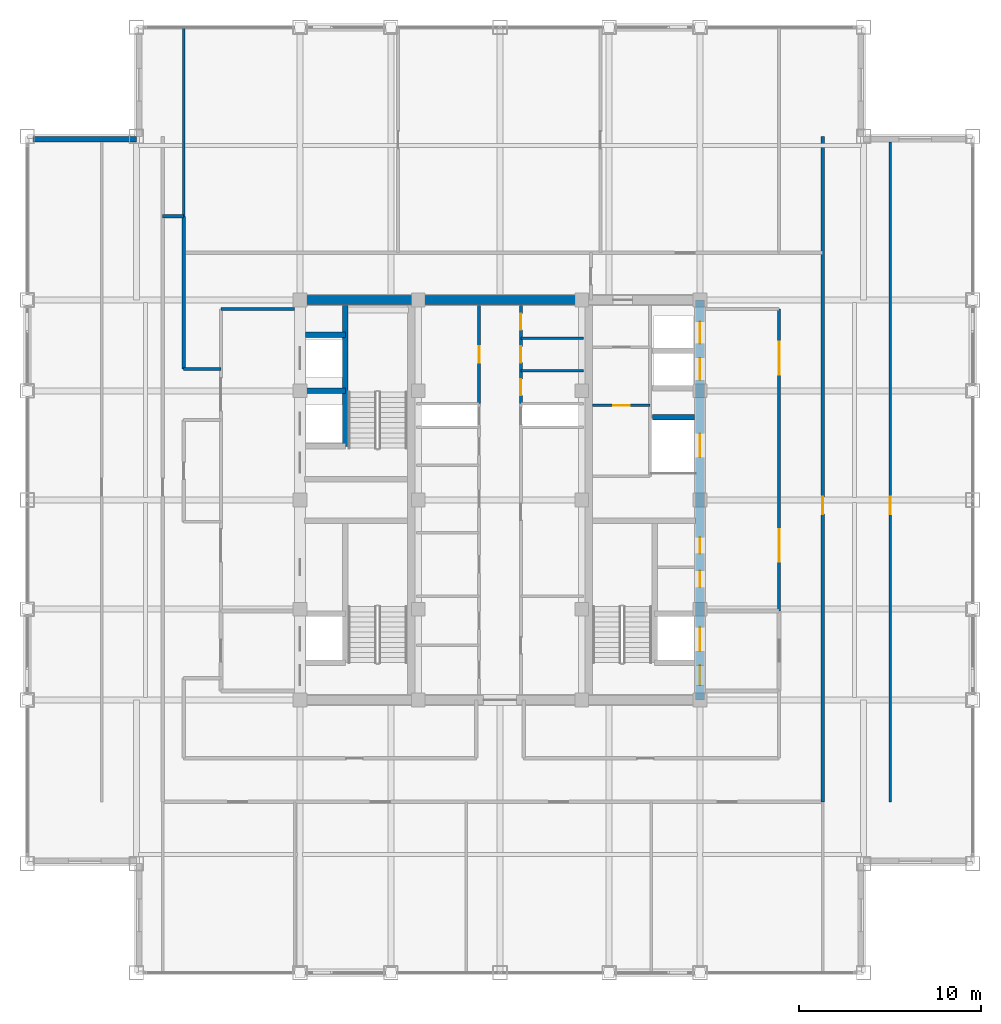
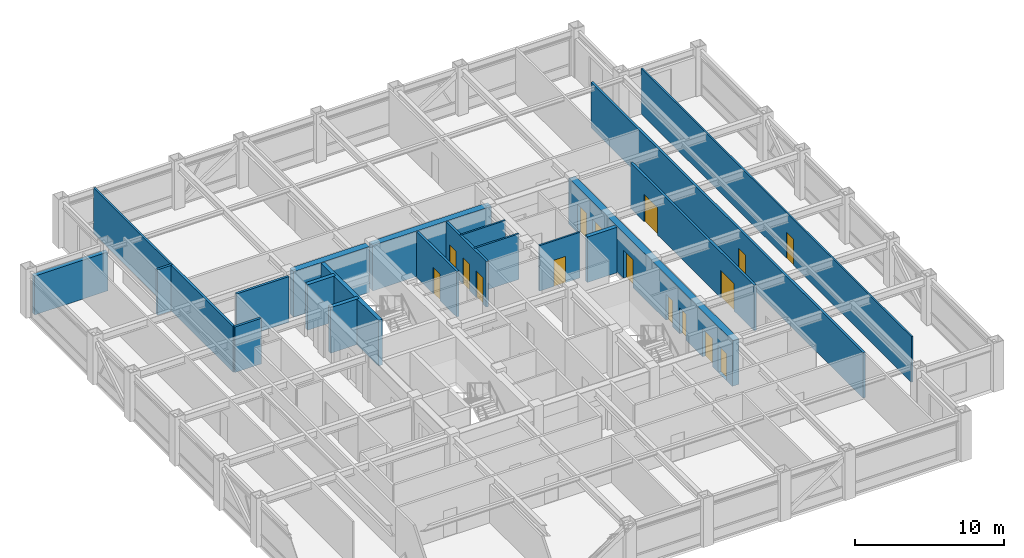
# One storey, part 26 of 28: 21 walls, 16 doors, 16 openings.
"""IFC4 building model written with IfcOpenShell, lengths in metres."""

import ifcopenshell
import ifcopenshell.guid

model = None  # the IFC model being written
_history = None  # IfcOwnerHistory: only IFC2X3 demands one
_inside = {}  # id of a spatial element -> (the spatial element, [elements in it])
_under = {}  # id of a project, library or spatial element -> (it, [spatial elements below it])
_declared = {}  # id of a project -> (the project, [libraries it declares])
_typed = {}  # id of a type object -> (the type object, [elements of that type])
_made_of = {}  # id of a material, layer set ... -> (it, [elements and type objects made of it])


def new_model(schema):
    """Start an empty IFC model of exactly this schema.

    Asked for "IFC4X3", IfcOpenShell would pick the latest addendum, in which some entities
    have other attributes; the version numbers below select the first issue.
    IFC2X3 requires an IfcOwnerHistory on every rooted entity: one is made here for all.
    """
    global model, _history
    if schema == "IFC4X3":
        model = ifcopenshell.file(schema_version=(4, 3, 0, 0))
    else:
        model = ifcopenshell.file(schema=schema)
    _inside.clear()
    _under.clear()
    _declared.clear()
    _typed.clear()
    _made_of.clear()
    _history = None
    if model.schema == "IFC2X3":
        org = make("IfcOrganization", Name="unknown")
        user = make(
            "IfcPersonAndOrganization",
            ThePerson=make("IfcPerson", FamilyName="unknown"),
            TheOrganization=org,
        )
        app = make(
            "IfcApplication",
            ApplicationDeveloper=org,
            Version="unknown",
            ApplicationFullName="unknown",
            ApplicationIdentifier="unknown",
        )
        _history = make(
            "IfcOwnerHistory",
            OwningUser=user,
            OwningApplication=app,
            ChangeAction="ADDED",
            CreationDate=0,
        )
    return model


def make(cls, **values):
    """One entity of the class cls with the attributes given. An attribute that is None is left unset."""
    return model.create_entity(
        cls, **{name: value for name, value in values.items() if value is not None}
    )


def rooted(cls, **values):
    """An entity with a GlobalId (a new one), such as an element, a storey or a relation."""
    return make(cls, GlobalId=ifcopenshell.guid.new(), OwnerHistory=_history, **values)


def si_unit(unit_type, name, prefix=None):
    """IfcSIUnit, for example si_unit("LENGTHUNIT", "METRE", prefix="MILLI")."""
    return make("IfcSIUnit", UnitType=unit_type, Prefix=prefix, Name=name)


def assignment(units):
    """IfcUnitAssignment: the units of a project."""
    return None if units is None else make("IfcUnitAssignment", Units=units)


def point(xyz):
    """IfcCartesianPoint."""
    return None if xyz is None else make("IfcCartesianPoint", Coordinates=xyz)


def direction(xyz):
    """IfcDirection."""
    return None if xyz is None else make("IfcDirection", DirectionRatios=xyz)


def frame(location, z_axis=None, x_axis=None):
    """IfcAxis2Placement3D, a coordinate frame: its origin and axes. An axis left out is left unset."""
    return make(
        "IfcAxis2Placement3D",
        Location=point(location),
        Axis=direction(z_axis),
        RefDirection=direction(x_axis),
    )


def frame_2d(location, x_axis=None):
    """IfcAxis2Placement2D, a coordinate frame in the plane: its origin and x axis."""
    return make(
        "IfcAxis2Placement2D", Location=point(location), RefDirection=direction(x_axis)
    )


def origin():
    """The frame at (0, 0, 0) with its axes left unset."""
    return frame((0.0, 0.0, 0.0))


def place(relative_to, where):
    """IfcLocalPlacement: puts the frame where relative to a parent placement (None: the world)."""
    return make(
        "IfcLocalPlacement", PlacementRelTo=relative_to, RelativePlacement=where
    )


def context(
    kind, dimensions, precision=None, world=None, true_north=None, identifier=None
):
    """IfcGeometricRepresentationContext, for example the 3D "Model" context."""
    return make(
        "IfcGeometricRepresentationContext",
        ContextIdentifier=identifier,
        ContextType=kind,
        CoordinateSpaceDimension=dimensions,
        Precision=precision,
        WorldCoordinateSystem=world,
        TrueNorth=true_north,
    )


def subcontext(parent, identifier, kind, view, scale=None):
    """IfcGeometricRepresentationSubContext, for example "Body" below "Model"."""
    return make(
        "IfcGeometricRepresentationSubContext",
        ContextIdentifier=identifier,
        ContextType=kind,
        ParentContext=parent,
        TargetScale=scale,
        TargetView=view,
    )


def project(units=None, contexts=None):
    """IfcProject with its units and contexts."""
    return rooted(
        "IfcProject",
        Name="project",
        RepresentationContexts=contexts,
        UnitsInContext=assignment(units),
    )


def spatial(cls, under=None, at=None, **own):
    """A site, building, storey or space (cls), placed at a placement, below another one or the project."""
    s = rooted(cls, ObjectPlacement=at, **own)
    if under is not None:
        _under.setdefault(under.id(), (under, []))[1].append(s)
    return s


def profile(cls, at=None, kind="AREA", **sizes):
    """A parametric profile (cls). Its sizes go by their IFC names, for example OverallWidth=200.0."""
    return make(cls, ProfileType=kind, Position=at, **sizes)


def rectangle(**sizes):
    """IfcRectangleProfileDef."""
    return profile("IfcRectangleProfileDef", **sizes)


def extrude(swept, where, along, depth):
    """IfcExtrudedAreaSolid: the profile swept, set in the frame where, extruded along a direction by depth."""
    return make(
        "IfcExtrudedAreaSolid",
        SweptArea=swept,
        Position=where,
        ExtrudedDirection=direction(along),
        Depth=depth,
    )


def shape(context_of_items, identifier, shape_type, items):
    """IfcShapeRepresentation: the items that make up one representation, for example the "Body"."""
    return make(
        "IfcShapeRepresentation",
        ContextOfItems=context_of_items,
        RepresentationIdentifier=identifier,
        RepresentationType=shape_type,
        Items=items,
    )


def source(mapping_origin, context_of_items, identifier, shape_type, items):
    """IfcRepresentationMap: a shape defined once, which mapped items show again and again."""
    return make(
        "IfcRepresentationMap",
        MappingOrigin=mapping_origin,
        MappedRepresentation=shape(context_of_items, identifier, shape_type, items),
    )


def transform(
    local_origin,
    x_axis=None,
    y_axis=None,
    z_axis=None,
    scale=None,
    scale2=None,
    scale3=None,
    uniform=True,
):
    """IfcCartesianTransformationOperator3D, or its non-uniform kind. x_axis, y_axis, z_axis: its Axis1, 2, 3."""
    if uniform:
        return make(
            "IfcCartesianTransformationOperator3D",
            Axis1=direction(x_axis),
            Axis2=direction(y_axis),
            LocalOrigin=point(local_origin),
            Scale=scale,
            Axis3=direction(z_axis),
        )
    return make(
        "IfcCartesianTransformationOperator3DnonUniform",
        Axis1=direction(x_axis),
        Axis2=direction(y_axis),
        LocalOrigin=point(local_origin),
        Scale=scale,
        Axis3=direction(z_axis),
        Scale2=scale2,
        Scale3=scale3,
    )


def mapped(mapping_source, mapping_target):
    """IfcMappedItem: shows the shape of a source again, moved by a transform."""
    return make(
        "IfcMappedItem", MappingSource=mapping_source, MappingTarget=mapping_target
    )


def material(Name=None, Category=None):
    """IfcMaterial."""
    return make("IfcMaterial", Name=Name, Category=Category)


def layer(
    of_material, thickness, ventilated=None, Name=None, Category=None, Priority=None
):
    """IfcMaterialLayer: one layer of a wall or slab, of a material (None: an air gap)."""
    return make(
        "IfcMaterialLayer",
        Material=of_material,
        LayerThickness=thickness,
        IsVentilated=ventilated,
        Name=Name,
        Category=Category,
        Priority=Priority,
    )


def layer_set(layers, Name=None):
    """IfcMaterialLayerSet."""
    return make("IfcMaterialLayerSet", MaterialLayers=layers, LayerSetName=Name)


def made_of(thing, what):
    """Note that an element or type object is made of a material, layer set ...; save() writes the relation."""
    if what is not None:
        _made_of.setdefault(what.id(), (what, []))[1].append(thing)
    return thing


def type_object(cls, material=None, **own):
    """A type object (cls), such as IfcWallType, which elements share."""
    return made_of(rooted(cls, **own), material)


def element(
    cls,
    number,
    at=None,
    inside=None,
    cuts=None,
    type_object=None,
    material=None,
    context=None,
    identifier="Body",
    shape_type=None,
    held_by="IfcProductDefinitionShape",
    body=None,
    shapes=None,
    **own,
):
    """One element of the class cls, such as IfcWall. Its Tag is "e" and its number.

    at: its placement. inside: the storey or other place that contains it. cuts: it is an
    opening in that element (IfcRelVoidsElement). A single representation is given by context,
    identifier, shape_type and body (its items); several are given by shapes. held_by: the class
    of the entity that holds the representations. save() writes the other relations.
    """
    e = rooted(cls, Tag="e%d" % number, ObjectPlacement=at, **own)
    if body is not None:
        shapes = [shape(context, identifier, shape_type, body)]
    if shapes is not None:
        e.Representation = make(held_by, Representations=shapes)
    if inside is not None:
        _inside.setdefault(inside.id(), (inside, []))[1].append(e)
    if cuts is not None:
        rooted(
            "IfcRelVoidsElement", RelatingBuildingElement=cuts, RelatedOpeningElement=e
        )
    if type_object is not None:
        _typed.setdefault(type_object.id(), (type_object, []))[1].append(e)
    return made_of(e, material)


def fill(opening, filler):
    """IfcRelFillsElement: the door or window that sits in an opening."""
    return rooted(
        "IfcRelFillsElement",
        RelatingOpeningElement=opening,
        RelatedBuildingElement=filler,
    )


def aggregate(whole, parts):
    """IfcRelAggregates: a whole, such as a stair, and the parts it consists of."""
    return rooted("IfcRelAggregates", RelatingObject=whole, RelatedObjects=parts)


def save(model, path):
    """Write the relations noted so far, then the file.

    IfcRelAggregates (storeys below a building ...), IfcRelContainedInSpatialStructure (elements
    in a storey), IfcRelDefinesByType, IfcRelAssociatesMaterial and IfcRelDeclares: one each for
    every whole, place, type object, material and project.
    """
    for whole, parts in _under.values():
        aggregate(whole, parts)
    for where, things in _inside.values():
        rooted(
            "IfcRelContainedInSpatialStructure",
            RelatedElements=things,
            RelatingStructure=where,
        )
    for kind, things in _typed.values():
        rooted("IfcRelDefinesByType", RelatedObjects=things, RelatingType=kind)
    for what, things in _made_of.values():
        rooted("IfcRelAssociatesMaterial", RelatedObjects=things, RelatingMaterial=what)
    for by, libraries in _declared.values():
        rooted("IfcRelDeclares", RelatingContext=by, RelatedDefinitions=libraries)
    model.write(path)


model = new_model("IFC4")

# Units and contexts
model_context = context("Model", 3, precision=1e-05, world=origin(), true_north=direction((0.0, 1.0)))
body_context = subcontext(model_context, "Body", "Model", "MODEL_VIEW")
ifc_project = project(units=[si_unit("LENGTHUNIT", "METRE"), si_unit("AREAUNIT", "SQUARE_METRE"), si_unit("VOLUMEUNIT", "CUBIC_METRE"), si_unit("PLANEANGLEUNIT", "RADIAN"), si_unit("MASSUNIT", "GRAM", prefix="KILO")], contexts=[model_context])

# Site, building, storey
site_placement = place(None, origin())
site = spatial("IfcSite", under=ifc_project, at=site_placement, CompositionType="ELEMENT")
building_placement = place(site_placement, origin())
building = spatial("IfcBuilding", under=site, at=building_placement, Name="Khorayat Bourse Tower", CompositionType="ELEMENT")
storey_placement = place(building_placement, frame((0.0, 0.0, 330.300048828125)))
storey = spatial("IfcBuildingStorey", under=building, at=storey_placement, Name="L78", CompositionType="ELEMENT", Elevation=330.300048828125)

# Wall, openings, doors
ifc_material_1 = material(Name="Concrete C52/65", Category="concrete")
ifc_layer_1 = layer(ifc_material_1, 0.5)
ifc_layer_set_1 = layer_set([ifc_layer_1], Name="Concrete C52/65")
wall_type_1 = type_object("IfcWallType", Name="WAL-CORE-500", PredefinedType="SHEAR", material=ifc_layer_set_1)
shared_shape_1 = source(origin(), body_context, "Body", "SweptSolid", [
    extrude(rectangle(XDim=22.0, YDim=0.5, at=frame_2d((11.0, 0.0))), origin(), (0.0, 0.0, 1.0), 3.739990234375),
])
wall_1_placement = place(storey_placement, frame((11.0, -11.0, 0.0), z_axis=(0.0, 0.0, 1.0), x_axis=(0.0, 1.0, 0.0)))
wall_1 = element("IfcWall", 1, at=wall_1_placement, inside=storey, type_object=wall_type_1, Name="L78 Core Shear Wall CORE-E", PredefinedType="SHEAR", context=body_context, shape_type="MappedRepresentation", body=[
    mapped(shared_shape_1, transform((0.0, 0.0, 0.0), scale=1.0)),
])
shared_shape_2 = source(origin(), body_context, "Body", "SweptSolid", [
    extrude(rectangle(XDim=1.10009765625, YDim=2.199951171875, at=frame_2d((0.550048828125, 1.10009765625))), frame((0.0, 0.260009765625, 0.0), z_axis=(0.0, -1.0, 0.0), x_axis=(1.0, 0.0, 0.0)), (0.0, 0.0, 1.0), 0.52001953125),
])
opening_1_placement = place(wall_1_placement, frame((0.800048828125, 0.0, 0.0)))
opening_1 = element("IfcOpeningElement", 2, at=opening_1_placement, cuts=wall_1, Name="Opening DI-01", PredefinedType="OPENING", context=body_context, shape_type="MappedRepresentation", body=[
    mapped(shared_shape_2, transform((0.0, 0.0, 0.0), scale=1.0)),
])
shared_shape_3 = source(origin(), body_context, "Body", "SweptSolid", [
    extrude(rectangle(XDim=0.89990234375, YDim=2.14990234375, at=frame_2d((0.449951171875, 1.074951171875))), frame((0.0, 0.260009765625, 0.0), z_axis=(0.0, -1.0, 0.0), x_axis=(1.0, 0.0, 0.0)), (0.0, 0.0, 1.0), 0.52001953125),
])
opening_2_placement = place(wall_1_placement, frame((6.199951171875, 0.0, 0.0)))
opening_2 = element("IfcOpeningElement", 3, at=opening_2_placement, cuts=wall_1, Name="Opening DI-06", PredefinedType="OPENING", context=body_context, shape_type="MappedRepresentation", body=[
    mapped(shared_shape_3, transform((0.0, 0.0, 0.0), scale=1.0)),
])
opening_3_placement = place(wall_1_placement, frame((8.050048828125, 0.0, 0.0)))
opening_3 = element("IfcOpeningElement", 4, at=opening_3_placement, cuts=wall_1, Name="Opening DI-06", PredefinedType="OPENING", context=body_context, shape_type="MappedRepresentation", body=[
    mapped(shared_shape_3, transform((0.0, 0.0, 0.0), scale=1.0)),
])
shared_shape_4 = source(origin(), body_context, "Body", "SweptSolid", [
    extrude(rectangle(XDim=1.199951171875, YDim=2.300048828125, at=frame_2d((0.60009765625, 1.14990234375))), frame((0.0, 0.260009765625, 0.0), z_axis=(0.0, -1.0, 0.0), x_axis=(1.0, 0.0, 0.0)), (0.0, 0.0, 1.0), 0.52001953125),
])
opening_4_placement = place(wall_1_placement, frame((17.60009765625, 0.0, 0.0)))
opening_4 = element("IfcOpeningElement", 5, at=opening_4_placement, cuts=wall_1, Name="Opening LD-01", PredefinedType="OPENING", context=body_context, shape_type="MappedRepresentation", body=[
    mapped(shared_shape_4, transform((0.0, 0.0, 0.0), scale=1.0)),
])
opening_5_placement = place(wall_1_placement, frame((19.60009765625, 0.0, 0.0)))
opening_5 = element("IfcOpeningElement", 6, at=opening_5_placement, cuts=wall_1, Name="Opening LD-01", PredefinedType="OPENING", context=body_context, shape_type="MappedRepresentation", body=[
    mapped(shared_shape_4, transform((0.0, 0.0, 0.0), scale=1.0)),
])
shared_shape_5 = source(origin(), body_context, "Body", "SweptSolid", [
    extrude(rectangle(XDim=1.300048828125, YDim=2.300048828125, at=frame_2d((0.64990234375, 1.14990234375))), frame((0.0, 0.260009765625, 0.0), z_axis=(0.0, -1.0, 0.0), x_axis=(1.0, 0.0, 0.0)), (0.0, 0.0, 1.0), 0.52001953125),
])
opening_6_placement = place(wall_1_placement, frame((2.699951171875, 0.0, 0.0)))
opening_6 = element("IfcOpeningElement", 7, at=opening_6_placement, cuts=wall_1, Name="Opening LD-02", PredefinedType="OPENING", context=body_context, shape_type="MappedRepresentation", body=[
    mapped(shared_shape_5, transform((0.0, 0.0, 0.0), scale=1.0)),
])
opening_7_placement = place(wall_1_placement, frame((13.35009765625, 0.0, 0.0)))
opening_7 = element("IfcOpeningElement", 8, at=opening_7_placement, cuts=wall_1, Name="Opening LD-02", PredefinedType="OPENING", context=body_context, shape_type="MappedRepresentation", body=[
    mapped(shared_shape_5, transform((0.0, 0.0, 0.0), scale=1.0)),
])
ifc_material_2 = material(Name="Fire-rated steel acoustic leaf", Category="steel")
door_type_1 = type_object("IfcDoorType", Name="DR-INT-STAIR-1100", OperationType="NOTDEFINED", PredefinedType="DOOR", material=ifc_material_2)
shared_shape_6 = source(origin(), body_context, "Body", "SweptSolid", [
    extrude(rectangle(XDim=1.10009765625, YDim=2.199951171875, at=frame_2d((0.550048828125, 1.10009765625))), frame((0.0, 0.02490234375, 0.0), z_axis=(0.0, -1.0, 0.0), x_axis=(1.0, 0.0, 0.0)), (0.0, 0.0, 1.0), 0.050048828125),
])
door_1_placement = place(opening_1_placement, origin())
door_1 = element("IfcDoor", 9, at=door_1_placement, inside=storey, type_object=door_type_1, Name="L78 Exit Stair 3 Door", OperationType="SINGLE_SWING_LEFT", OverallHeight=2.199951171875, OverallWidth=1.10009765625, PredefinedType="DOOR", context=body_context, shape_type="MappedRepresentation", body=[
    mapped(shared_shape_6, transform((0.0, 0.0, 0.0), scale=1.0)),
])
fill(opening_1, door_1)
ifc_material_3 = material(Name="Moisture-resistant laminate washroom door")
door_type_2 = type_object("IfcDoorType", Name="DR-INT-WC-900", OperationType="NOTDEFINED", PredefinedType="DOOR", material=ifc_material_3)
shared_shape_7 = source(origin(), body_context, "Body", "SweptSolid", [
    extrude(rectangle(XDim=0.89990234375, YDim=2.14990234375, at=frame_2d((0.449951171875, 1.074951171875))), frame((0.0, 0.02490234375, 0.0), z_axis=(0.0, -1.0, 0.0), x_axis=(1.0, 0.0, 0.0)), (0.0, 0.0, 1.0), 0.050048828125),
])
door_2_placement = place(opening_2_placement, origin())
door_2 = element("IfcDoor", 10, at=door_2_placement, inside=storey, type_object=door_type_2, Name="L78 Comms Closet Door", OperationType="SINGLE_SWING_LEFT", OverallHeight=2.14990234375, OverallWidth=0.89990234375, PredefinedType="DOOR", context=body_context, shape_type="MappedRepresentation", body=[
    mapped(shared_shape_7, transform((0.0, 0.0, 0.0), scale=1.0)),
])
fill(opening_2, door_2)
door_3_placement = place(opening_3_placement, origin())
door_3 = element("IfcDoor", 11, at=door_3_placement, inside=storey, type_object=door_type_2, Name="L78 Cleaner Store Door", OperationType="SINGLE_SWING_RIGHT", OverallHeight=2.14990234375, OverallWidth=0.89990234375, PredefinedType="DOOR", context=body_context, shape_type="MappedRepresentation", body=[
    mapped(shared_shape_7, transform((0.0, 0.0, 0.0), scale=1.0)),
])
fill(opening_3, door_3)
ifc_material_4 = material(Name="Brushed bronze stainless-steel sliding door", Category="steel")
door_type_3 = type_object("IfcDoorType", Name="DR-LIFT-PASS-1200", OperationType="NOTDEFINED", PredefinedType="DOOR", material=ifc_material_4)
shared_shape_8 = source(origin(), body_context, "Body", "SweptSolid", [
    extrude(rectangle(XDim=1.199951171875, YDim=2.300048828125, at=frame_2d((0.60009765625, 1.14990234375))), frame((0.0, 0.02490234375, 0.0), z_axis=(0.0, -1.0, 0.0), x_axis=(1.0, 0.0, 0.0)), (0.0, 0.0, 1.0), 0.050048828125),
])
door_4_placement = place(opening_4_placement, origin())
door_4 = element("IfcDoor", 12, at=door_4_placement, inside=storey, type_object=door_type_3, Name="L78 Lift PL-H3 Sliding Landing Door", OperationType="SLIDING_TO_LEFT", OverallHeight=2.300048828125, OverallWidth=1.199951171875, PredefinedType="DOOR", context=body_context, shape_type="MappedRepresentation", body=[
    mapped(shared_shape_8, transform((0.0, 0.0, 0.0), scale=1.0)),
])
fill(opening_4, door_4)
door_5_placement = place(opening_5_placement, origin())
door_5 = element("IfcDoor", 13, at=door_5_placement, inside=storey, type_object=door_type_3, Name="L78 Lift PL-H4 Sliding Landing Door", OperationType="SLIDING_TO_LEFT", OverallHeight=2.300048828125, OverallWidth=1.199951171875, PredefinedType="DOOR", context=body_context, shape_type="MappedRepresentation", body=[
    mapped(shared_shape_8, transform((0.0, 0.0, 0.0), scale=1.0)),
])
fill(opening_5, door_5)
ifc_material_5 = material(Name="Fire-rated stainless-steel sliding landing door", Category="steel")
door_type_4 = type_object("IfcDoorType", Name="DR-LIFT-FF-1300", OperationType="NOTDEFINED", PredefinedType="DOOR", material=ifc_material_5)
shared_shape_9 = source(origin(), body_context, "Body", "SweptSolid", [
    extrude(rectangle(XDim=1.300048828125, YDim=2.300048828125, at=frame_2d((0.64990234375, 1.14990234375))), frame((0.0, 0.02490234375, 0.0), z_axis=(0.0, -1.0, 0.0), x_axis=(1.0, 0.0, 0.0)), (0.0, 0.0, 1.0), 0.050048828125),
])
door_6_placement = place(opening_6_placement, origin())
door_6 = element("IfcDoor", 14, at=door_6_placement, inside=storey, type_object=door_type_4, Name="L78 Lift FFL-02 Sliding Landing Door", OperationType="SLIDING_TO_LEFT", OverallHeight=2.300048828125, OverallWidth=1.300048828125, PredefinedType="DOOR", context=body_context, shape_type="MappedRepresentation", body=[
    mapped(shared_shape_9, transform((0.0, 0.0, 0.0), scale=1.0)),
])
fill(opening_6, door_6)
door_7_placement = place(opening_7_placement, origin())
door_7 = element("IfcDoor", 15, at=door_7_placement, inside=storey, type_object=door_type_4, Name="L78 Lift SVL-01 Sliding Landing Door", OperationType="SLIDING_TO_LEFT", OverallHeight=2.300048828125, OverallWidth=1.300048828125, PredefinedType="DOOR", context=body_context, shape_type="MappedRepresentation", body=[
    mapped(shared_shape_9, transform((0.0, 0.0, 0.0), scale=1.0)),
])
fill(opening_7, door_7)

# Walls
shared_shape_10 = source(origin(), body_context, "Body", "SweptSolid", [
    extrude(rectangle(XDim=5.89990234375, YDim=0.5, at=frame_2d((2.949951171875, 0.0))), origin(), (0.0, 0.0, 1.0), 3.739990234375),
])
wall_2_placement = place(storey_placement, frame((-10.75, 11.0, 0.0), z_axis=(0.0, 0.0, 1.0), x_axis=(1.0, 0.0, 0.0)))
element("IfcWall", 16, at=wall_2_placement, inside=storey, type_object=wall_type_1, Name="L78 Core Shear Wall PIER-WN", PredefinedType="SHEAR", context=body_context, shape_type="MappedRepresentation", body=[
    mapped(shared_shape_10, transform((0.0, 0.0, 0.0), scale=1.0)),
])
shared_shape_11 = source(origin(), body_context, "Body", "SweptSolid", [
    extrude(rectangle(XDim=9.2001953125, YDim=0.5, at=frame_2d((4.60009765625, 0.0))), origin(), (0.0, 0.0, 1.0), 3.739990234375),
])
wall_3_placement = place(storey_placement, frame((-4.60009765625, 11.0, 0.0), z_axis=(0.0, 0.0, 1.0), x_axis=(1.0, 0.0, 0.0)))
element("IfcWall", 17, at=wall_3_placement, inside=storey, type_object=wall_type_1, Name="L78 Core Shear Wall CORE-N", PredefinedType="SHEAR", context=body_context, shape_type="MappedRepresentation", body=[
    mapped(shared_shape_11, transform((0.0, 0.0, 0.0), scale=1.0)),
])
ifc_material_6 = material(Name="Precast concrete C45/55", Category="concrete")
ifc_layer_2 = layer(ifc_material_6, 0.320068359375)
ifc_layer_set_2 = layer_set([ifc_layer_2], Name="Precast concrete C45/55")
wall_type_2 = type_object("IfcWallType", Name="WAL-EXT-STONE-320", PredefinedType="STANDARD", material=ifc_layer_set_2)
shared_shape_12 = source(origin(), body_context, "Body", "SweptSolid", [
    extrude(rectangle(XDim=5.679931640625, YDim=0.320068359375, at=frame_2d((2.83984375, 0.0))), origin(), (0.0, 0.0, 1.0), 3.19091796875),
])
wall_4_placement = place(storey_placement, frame((-20.0, 19.840087890625, 0.0), z_axis=(0.0, 0.0, 1.0), x_axis=(-1.0, 0.0, 0.0)))
element("IfcWall", 18, at=wall_4_placement, inside=storey, type_object=wall_type_2, Name="L78 Re-Entrant Notch Limestone Wall NW-H", PredefinedType="STANDARD", context=body_context, shape_type="MappedRepresentation", body=[
    mapped(shared_shape_12, transform((0.0, 0.0, 0.0), scale=1.0)),
])
ifc_material_7 = material(Name="Concrete C50/60", Category="concrete")
ifc_layer_3 = layer(ifc_material_7, 0.300048828125)
ifc_layer_set_3 = layer_set([ifc_layer_3], Name="Concrete C50/60")
wall_type_3 = type_object("IfcWallType", Name="WAL-SHAFT-300", PredefinedType="SHEAR", material=ifc_layer_set_3)
shared_shape_13 = source(origin(), body_context, "Body", "SweptSolid", [
    extrude(rectangle(XDim=2.199951171875, YDim=0.300048828125, at=frame_2d((1.10009765625, 0.0))), origin(), (0.0, 0.0, 1.0), 3.739990234375),
])
for number, where, z_axis, x_axis, name in (
    (19, (-10.699951171875, 6.0, 0.0), (0.0, 0.0, 1.0), (1.0, 0.0, 0.0), "L78 Partition WAL-L78-WPIER-H12"),
    (20, (-10.699951171875, 9.10009765625, 0.0), (0.0, 0.0, 1.0), (1.0, 0.0, 0.0), "L78 Partition WAL-L78-WPIER-H2N"),
):
    element("IfcWall", number, at=place(storey_placement, frame(where, z_axis=z_axis, x_axis=x_axis)), inside=storey, type_object=wall_type_3, Name=name, PredefinedType="SHEAR", context=body_context, shape_type="MappedRepresentation", body=[
        mapped(shared_shape_13, transform((0.0, 0.0, 0.0), scale=1.0)),
    ])
shared_shape_14 = source(origin(), body_context, "Body", "SweptSolid", [
    extrude(rectangle(XDim=7.75, YDim=0.300048828125, at=frame_2d((3.875, 0.0))), origin(), (0.0, 0.0, 1.0), 3.739990234375),
])
wall_5_placement = place(storey_placement, frame((-8.5, 2.949951171875, 0.0), z_axis=(0.0, 0.0, 1.0), x_axis=(0.0, 1.0, 0.0)))
element("IfcWall", 21, at=wall_5_placement, inside=storey, type_object=wall_type_3, Name="L78 Partition WAL-L78-WPIER-ST2S", PredefinedType="SHEAR", context=body_context, shape_type="MappedRepresentation", body=[
    mapped(shared_shape_14, transform((0.0, 0.0, 0.0), scale=1.0)),
])
shared_shape_15 = source(origin(), body_context, "Body", "SweptSolid", [
    extrude(rectangle(XDim=2.300048828125, YDim=0.300048828125, at=frame_2d((1.14990234375, 0.0))), origin(), (0.0, 0.0, 1.0), 3.739990234375),
])
wall_6_placement = place(storey_placement, frame((8.39990234375, 4.550048828125, 0.0), z_axis=(0.0, 0.0, 1.0), x_axis=(1.0, 0.0, 0.0)))
element("IfcWall", 22, at=wall_6_placement, inside=storey, type_object=wall_type_3, Name="L78 Partition WAL-L78-EPIER-SVLN", PredefinedType="SHEAR", context=body_context, shape_type="MappedRepresentation", body=[
    mapped(shared_shape_15, transform((0.0, 0.0, 0.0), scale=1.0)),
])

# Wall, opening, door
ifc_material_8 = material(Name="Moisture-resistant masonry partition", Category="masonry")
ifc_layer_4 = layer(ifc_material_8, 0.139892578125)
ifc_layer_set_4 = layer_set([ifc_layer_4], Name="Moisture-resistant masonry partition")
wall_type_4 = type_object("IfcWallType", Name="WAL-PART-WET-140", PredefinedType="PARTITIONING", material=ifc_layer_set_4)
shared_shape_16 = source(origin(), body_context, "Body", "SweptSolid", [
    extrude(rectangle(XDim=3.14990234375, YDim=0.139892578125, at=frame_2d((1.574951171875, 0.0))), origin(), (0.0, 0.0, 1.0), 3.739990234375),
])
wall_7_placement = place(storey_placement, frame((5.10009765625, 5.199951171875, 0.0), z_axis=(0.0, 0.0, 1.0), x_axis=(1.0, 0.0, 0.0)))
wall_7 = element("IfcWall", 23, at=wall_7_placement, inside=storey, type_object=wall_type_4, Name="L78 Partition WAL-L78-ECW-HZ", PredefinedType="PARTITIONING", context=body_context, shape_type="MappedRepresentation", body=[
    mapped(shared_shape_16, transform((0.0, 0.0, 0.0), scale=1.0)),
])
shared_shape_17 = source(origin(), body_context, "Body", "SweptSolid", [
    extrude(rectangle(XDim=0.89990234375, YDim=2.14990234375, at=frame_2d((0.449951171875, 1.074951171875))), frame((0.0, 0.079833984375, 0.0), z_axis=(0.0, -1.0, 0.0), x_axis=(1.0, 0.0, 0.0)), (0.0, 0.0, 1.0), 0.159912109375),
])
opening_8_placement = place(wall_7_placement, frame((1.1298828125, 0.0, 0.0)))
opening_8 = element("IfcOpeningElement", 24, at=opening_8_placement, cuts=wall_7, Name="Opening DI-06", PredefinedType="OPENING", context=body_context, shape_type="MappedRepresentation", body=[
    mapped(shared_shape_17, transform((0.0, 0.0, 0.0), scale=1.0)),
])
door_8_placement = place(opening_8_placement, origin())
door_8 = element("IfcDoor", 25, at=door_8_placement, inside=storey, type_object=door_type_2, Name="L78 Shared Washroom Door", OperationType="SINGLE_SWING_RIGHT", OverallHeight=2.14990234375, OverallWidth=0.89990234375, PredefinedType="DOOR", context=body_context, shape_type="MappedRepresentation", body=[
    mapped(shared_shape_7, transform((0.0, 0.0, 0.0), scale=1.0)),
])
fill(opening_8, door_8)

# Wall
ifc_material_9 = material(Name="Gypsum plasterboard acoustic stud wall")
ifc_layer_5 = layer(ifc_material_9, 0.179931640625)
ifc_layer_set_5 = layer_set([ifc_layer_5], Name="Gypsum plasterboard acoustic stud wall")
wall_type_5 = type_object("IfcWallType", Name="WAL-PART-CORR-180", PredefinedType="PARTITIONING", material=ifc_layer_set_5)
shared_shape_18 = source(origin(), body_context, "Body", "SweptSolid", [
    extrude(rectangle(XDim=4.050048828125, YDim=0.179931640625, at=frame_2d((2.02490234375, 0.0))), origin(), (0.0, 0.0, 1.0), 3.739990234375),
])
wall_8_placement = place(storey_placement, frame((-15.35009765625, 10.5, 0.0), z_axis=(0.0, 0.0, 1.0), x_axis=(1.0, 0.0, 0.0)))
element("IfcWall", 26, at=wall_8_placement, inside=storey, type_object=wall_type_5, Name="L78 Partition WAL-L78-WLOB-N", PredefinedType="PARTITIONING", context=body_context, shape_type="MappedRepresentation", body=[
    mapped(shared_shape_18, transform((0.0, 0.0, 0.0), scale=1.0)),
])

# Wall, openings, doors
shared_shape_19 = source(origin(), body_context, "Body", "SweptSolid", [
    extrude(rectangle(XDim=16.60009765625, YDim=0.179931640625, at=frame_2d((8.300048828125, 0.0))), origin(), (0.0, 0.0, 1.0), 3.739990234375),
])
wall_9_placement = place(storey_placement, frame((15.35009765625, -6.10009765625, 0.0), z_axis=(0.0, 0.0, 1.0), x_axis=(0.0, 1.0, 0.0)))
wall_9 = element("IfcWall", 27, at=wall_9_placement, inside=storey, type_object=wall_type_5, Name="L78 Partition WAL-L78-ELOB-E", PredefinedType="PARTITIONING", context=body_context, shape_type="MappedRepresentation", body=[
    mapped(shared_shape_19, transform((0.0, 0.0, 0.0), scale=1.0)),
])
shared_shape_20 = source(origin(), body_context, "Body", "SweptSolid", [
    extrude(rectangle(XDim=1.800048828125, YDim=2.25, at=frame_2d((0.89990234375, 1.125))), frame((0.0, 0.099853515625, 0.0), z_axis=(0.0, -1.0, 0.0), x_axis=(1.0, 0.0, 0.0)), (0.0, 0.0, 1.0), 0.199951171875),
])
opening_9_placement = place(wall_9_placement, frame((2.699951171875, 0.0, 0.0)))
opening_9 = element("IfcOpeningElement", 28, at=opening_9_placement, cuts=wall_9, Name="Opening DI-03", PredefinedType="OPENING", context=body_context, shape_type="MappedRepresentation", body=[
    mapped(shared_shape_20, transform((0.0, 0.0, 0.0), scale=1.0)),
])
opening_10_placement = place(wall_9_placement, frame((13.0, 0.0, 0.0)))
opening_10 = element("IfcOpeningElement", 29, at=opening_10_placement, cuts=wall_9, Name="Opening DI-03", PredefinedType="OPENING", context=body_context, shape_type="MappedRepresentation", body=[
    mapped(shared_shape_20, transform((0.0, 0.0, 0.0), scale=1.0)),
])
ifc_material_10 = material(Name="Fire-rated hardwood vision-panel double leaf", Category="wood")
door_type_5 = type_object("IfcDoorType", Name="DR-INT-CORR-1800", OperationType="NOTDEFINED", PredefinedType="DOOR", material=ifc_material_10)
shared_shape_21 = source(origin(), body_context, "Body", "SweptSolid", [
    extrude(rectangle(XDim=1.800048828125, YDim=2.25, at=frame_2d((0.89990234375, 1.125))), frame((0.0, 0.02490234375, 0.0), z_axis=(0.0, -1.0, 0.0), x_axis=(1.0, 0.0, 0.0)), (0.0, 0.0, 1.0), 0.050048828125),
])
door_9_placement = place(opening_9_placement, origin())
door_9 = element("IfcDoor", 30, at=door_9_placement, inside=storey, type_object=door_type_5, Name="L78 East Core Lobby South Door", OperationType="SINGLE_SWING_RIGHT", OverallHeight=2.25, OverallWidth=1.800048828125, PredefinedType="DOOR", context=body_context, shape_type="MappedRepresentation", body=[
    mapped(shared_shape_21, transform((0.0, 0.0, 0.0), scale=1.0)),
])
fill(opening_9, door_9)
door_10_placement = place(opening_10_placement, origin())
door_10 = element("IfcDoor", 31, at=door_10_placement, inside=storey, type_object=door_type_5, Name="L78 East Core Lobby North Door", OperationType="SINGLE_SWING_LEFT", OverallHeight=2.25, OverallWidth=1.800048828125, PredefinedType="DOOR", context=body_context, shape_type="MappedRepresentation", body=[
    mapped(shared_shape_21, transform((0.0, 0.0, 0.0), scale=1.0)),
])
fill(opening_10, door_10)

# Walls
shared_shape_22 = source(origin(), body_context, "Body", "SweptSolid", [
    extrude(rectangle(XDim=3.4501953125, YDim=0.139892578125, at=frame_2d((1.72509765625, 0.0))), origin(), (0.0, 0.0, 1.0), 3.739990234375),
])
for number, where, z_axis, x_axis, name in (
    (32, (1.14990234375, 7.10009765625, 0.0), (0.0, 0.0, 1.0), (1.0, 0.0, 0.0), "L78 Partition WAL-L78-FB2E-D1"),
    (33, (1.14990234375, 8.89990234375, 0.0), (0.0, 0.0, 1.0), (1.0, 0.0, 0.0), "L78 Partition WAL-L78-FB2E-D2"),
):
    element("IfcWall", number, at=place(storey_placement, frame(where, z_axis=z_axis, x_axis=x_axis)), inside=storey, type_object=wall_type_4, Name=name, PredefinedType="PARTITIONING", context=body_context, shape_type="MappedRepresentation", body=[
        mapped(shared_shape_22, transform((0.0, 0.0, 0.0), scale=1.0)),
    ])

# Wall, opening, door
shared_shape_23 = source(origin(), body_context, "Body", "SweptSolid", [
    extrude(rectangle(XDim=5.39990234375, YDim=0.179931640625, at=frame_2d((2.699951171875, 0.0))), origin(), (0.0, 0.0, 1.0), 3.739990234375),
])
wall_10_placement = place(storey_placement, frame((-1.14990234375, 5.300048828125, 0.0), z_axis=(0.0, 0.0, 1.0), x_axis=(0.0, 1.0, 0.0)))
wall_10 = element("IfcWall", 34, at=wall_10_placement, inside=storey, type_object=wall_type_5, Name="L78 Partition WAL-L78-FB2W-L", PredefinedType="PARTITIONING", context=body_context, shape_type="MappedRepresentation", body=[
    mapped(shared_shape_23, transform((0.0, 0.0, 0.0), scale=1.0)),
])
shared_shape_24 = source(origin(), body_context, "Body", "SweptSolid", [
    extrude(rectangle(XDim=0.89990234375, YDim=2.14990234375, at=frame_2d((0.449951171875, 1.074951171875))), frame((0.0, 0.099853515625, 0.0), z_axis=(0.0, -1.0, 0.0), x_axis=(1.0, 0.0, 0.0)), (0.0, 0.0, 1.0), 0.199951171875),
])
opening_11_placement = place(wall_10_placement, frame((2.25, 0.0, 0.0)))
opening_11 = element("IfcOpeningElement", 35, at=opening_11_placement, cuts=wall_10, Name="Opening DI-06", PredefinedType="OPENING", context=body_context, shape_type="MappedRepresentation", body=[
    mapped(shared_shape_24, transform((0.0, 0.0, 0.0), scale=1.0)),
])
door_11_placement = place(opening_11_placement, origin())
door_11 = element("IfcDoor", 36, at=door_11_placement, inside=storey, type_object=door_type_2, Name="L78 Executive Archive Vault Door", OperationType="SINGLE_SWING_RIGHT", OverallHeight=2.14990234375, OverallWidth=0.89990234375, PredefinedType="DOOR", context=body_context, shape_type="MappedRepresentation", body=[
    mapped(shared_shape_7, transform((0.0, 0.0, 0.0), scale=1.0)),
])
fill(opening_11, door_11)

# Wall, openings, doors
wall_11_placement = place(storey_placement, frame((1.14990234375, 5.300048828125, 0.0), z_axis=(0.0, 0.0, 1.0), x_axis=(0.0, 1.0, 0.0)))
wall_11 = element("IfcWall", 37, at=wall_11_placement, inside=storey, type_object=wall_type_5, Name="L78 Partition WAL-L78-FB2E-L", PredefinedType="PARTITIONING", context=body_context, shape_type="MappedRepresentation", body=[
    mapped(shared_shape_23, transform((0.0, 0.0, 0.0), scale=1.0)),
])
opening_12_placement = place(wall_11_placement, frame((0.449951171875, 0.0, 0.0)))
opening_12 = element("IfcOpeningElement", 38, at=opening_12_placement, cuts=wall_11, Name="Opening DI-06", PredefinedType="OPENING", context=body_context, shape_type="MappedRepresentation", body=[
    mapped(shared_shape_24, transform((0.0, 0.0, 0.0), scale=1.0)),
])
opening_13_placement = place(wall_11_placement, frame((2.25, 0.0, 0.0)))
opening_13 = element("IfcOpeningElement", 39, at=opening_13_placement, cuts=wall_11, Name="Opening DI-06", PredefinedType="OPENING", context=body_context, shape_type="MappedRepresentation", body=[
    mapped(shared_shape_24, transform((0.0, 0.0, 0.0), scale=1.0)),
])
opening_14_placement = place(wall_11_placement, frame((4.050048828125, 0.0, 0.0)))
opening_14 = element("IfcOpeningElement", 40, at=opening_14_placement, cuts=wall_11, Name="Opening DI-06", PredefinedType="OPENING", context=body_context, shape_type="MappedRepresentation", body=[
    mapped(shared_shape_24, transform((0.0, 0.0, 0.0), scale=1.0)),
])
door_12_placement = place(opening_12_placement, origin())
door_12 = element("IfcDoor", 41, at=door_12_placement, inside=storey, type_object=door_type_2, Name="L78 Facility Store A Door", OperationType="SINGLE_SWING_RIGHT", OverallHeight=2.14990234375, OverallWidth=0.89990234375, PredefinedType="DOOR", context=body_context, shape_type="MappedRepresentation", body=[
    mapped(shared_shape_7, transform((0.0, 0.0, 0.0), scale=1.0)),
])
fill(opening_12, door_12)
door_13_placement = place(opening_13_placement, origin())
door_13 = element("IfcDoor", 42, at=door_13_placement, inside=storey, type_object=door_type_2, Name="L78 BMS Closet Door", OperationType="SINGLE_SWING_LEFT", OverallHeight=2.14990234375, OverallWidth=0.89990234375, PredefinedType="DOOR", context=body_context, shape_type="MappedRepresentation", body=[
    mapped(shared_shape_7, transform((0.0, 0.0, 0.0), scale=1.0)),
])
fill(opening_13, door_13)
door_14_placement = place(opening_14_placement, origin())
door_14 = element("IfcDoor", 43, at=door_14_placement, inside=storey, type_object=door_type_2, Name="L78 Facility Store B Door", OperationType="SINGLE_SWING_RIGHT", OverallHeight=2.14990234375, OverallWidth=0.89990234375, PredefinedType="DOOR", context=body_context, shape_type="MappedRepresentation", body=[
    mapped(shared_shape_7, transform((0.0, 0.0, 0.0), scale=1.0)),
])
fill(opening_14, door_14)

# Walls
shared_shape_25 = source(origin(), body_context, "Body", "SweptSolid", [
    extrude(rectangle(XDim=2.0498046875, YDim=0.179931640625, at=frame_2d((1.02490234375, 0.0))), origin(), (0.0, 0.0, 1.0), 3.739990234375),
])
wall_12_placement = place(storey_placement, frame((-17.39990234375, 7.199951171875, 0.0), z_axis=(0.0, 0.0, 1.0), x_axis=(1.0, 0.0, 0.0)))
element("IfcWall", 44, at=wall_12_placement, inside=storey, type_object=wall_type_5, Name="L78 Partition WAL-L78-THRWN-T", PredefinedType="PARTITIONING", context=body_context, shape_type="MappedRepresentation", body=[
    mapped(shared_shape_25, transform((0.0, 0.0, 0.0), scale=1.0)),
])
shared_shape_26 = source(origin(), body_context, "Body", "SweptSolid", [
    extrude(rectangle(XDim=8.400146484375, YDim=0.179931640625, at=frame_2d((4.2001953125, 0.0))), origin(), (0.0, 0.0, 1.0), 3.739990234375),
])
wall_13_placement = place(storey_placement, frame((-17.39990234375, 7.199951171875, 0.0), z_axis=(0.0, 0.0, 1.0), x_axis=(0.0, 1.0, 0.0)))
element("IfcWall", 45, at=wall_13_placement, inside=storey, type_object=wall_type_5, Name="L78 Partition WAL-L78-THRWN-N", PredefinedType="PARTITIONING", context=body_context, shape_type="MappedRepresentation", body=[
    mapped(shared_shape_26, transform((0.0, 0.0, 0.0), scale=1.0)),
])
shared_shape_27 = source(origin(), body_context, "Body", "SweptSolid", [
    extrude(rectangle(XDim=1.150146484375, YDim=0.179931640625, at=frame_2d((0.5751953125, 0.0))), origin(), (0.0, 0.0, 1.0), 3.739990234375),
])
wall_14_placement = place(storey_placement, frame((-18.550048828125, 15.60009765625, 0.0), z_axis=(0.0, 0.0, 1.0), x_axis=(1.0, 0.0, 0.0)))
element("IfcWall", 46, at=wall_14_placement, inside=storey, type_object=wall_type_5, Name="L78 Partition WAL-L78-GALW-N", PredefinedType="PARTITIONING", context=body_context, shape_type="MappedRepresentation", body=[
    mapped(shared_shape_27, transform((0.0, 0.0, 0.0), scale=1.0)),
])

# Wall, opening, door
ifc_material_11 = material(Name="Gypsum plasterboard partition")
ifc_layer_6 = layer(ifc_material_11, 0.125)
ifc_layer_set_6 = layer_set([ifc_layer_6], Name="Gypsum plasterboard partition")
wall_type_6 = type_object("IfcWallType", Name="WAL-PART-ROOM-125", PredefinedType="PARTITIONING", material=ifc_layer_set_6)
shared_shape_28 = source(origin(), body_context, "Body", "SweptSolid", [
    extrude(rectangle(XDim=36.300048828125, YDim=0.125, at=frame_2d((18.14990234375, 0.0))), origin(), (0.0, 0.0, 1.0), 3.739990234375),
])
wall_15_placement = place(storey_placement, frame((21.46240234375, -16.60009765625, 0.0), z_axis=(0.0, 0.0, 1.0), x_axis=(0.0, 1.0, 0.0)))
wall_15 = element("IfcWall", 47, at=wall_15_placement, inside=storey, type_object=wall_type_6, Name="L78 Partition WAL-L78-EDP-1", PredefinedType="PARTITIONING", context=body_context, shape_type="MappedRepresentation", body=[
    mapped(shared_shape_28, transform((0.0, 0.0, 0.0), scale=1.0)),
])
shared_shape_29 = source(origin(), body_context, "Body", "SweptSolid", [
    extrude(rectangle(XDim=0.949951171875, YDim=2.14990234375, at=frame_2d((0.47509765625, 1.074951171875))), frame((0.0, 0.072509765625, 0.0), z_axis=(0.0, -1.0, 0.0), x_axis=(1.0, 0.0, 0.0)), (0.0, 0.0, 1.0), 0.14501953125),
])
opening_15_placement = place(wall_15_placement, frame((15.824951171875, 0.0, 0.0)))
opening_15 = element("IfcOpeningElement", 48, at=opening_15_placement, cuts=wall_15, Name="Opening DI-05", PredefinedType="OPENING", context=body_context, shape_type="MappedRepresentation", body=[
    mapped(shared_shape_29, transform((0.0, 0.0, 0.0), scale=1.0)),
])
ifc_material_12 = material(Name="Acoustic oak veneer office door")
door_type_6 = type_object("IfcDoorType", Name="DR-INT-OFFICE-950", OperationType="NOTDEFINED", PredefinedType="DOOR", material=ifc_material_12)
shared_shape_30 = source(origin(), body_context, "Body", "SweptSolid", [
    extrude(rectangle(XDim=0.949951171875, YDim=2.14990234375, at=frame_2d((0.47509765625, 1.074951171875))), frame((0.0, 0.02490234375, 0.0), z_axis=(0.0, -1.0, 0.0), x_axis=(1.0, 0.0, 0.0)), (0.0, 0.0, 1.0), 0.050048828125),
])
door_15_placement = place(opening_15_placement, origin())
door_15 = element("IfcDoor", 49, at=door_15_placement, inside=storey, type_object=door_type_6, Name="L78 Clearing Records Archive Store E1B Door", OperationType="SINGLE_SWING_RIGHT", OverallHeight=2.14990234375, OverallWidth=0.949951171875, PredefinedType="DOOR", context=body_context, shape_type="MappedRepresentation", body=[
    mapped(shared_shape_30, transform((0.0, 0.0, 0.0), scale=1.0)),
])
fill(opening_15, door_15)

# Wall
ifc_material_13 = material(Name="Gypsum plasterboard twin-frame partition")
ifc_layer_7 = layer(ifc_material_13, 0.14990234375)
ifc_layer_set_7 = layer_set([ifc_layer_7], Name="Gypsum plasterboard twin-frame partition")
wall_type_7 = type_object("IfcWallType", Name="WAL-PART-SUITE-150", PredefinedType="PARTITIONING", material=ifc_layer_set_7)
shared_shape_31 = source(origin(), body_context, "Body", "SweptSolid", [
    extrude(rectangle(XDim=10.39990234375, YDim=0.14990234375, at=frame_2d((5.199951171875, 0.0))), origin(), (0.0, 0.0, 1.0), 3.739990234375),
])
wall_16_placement = place(storey_placement, frame((-17.39990234375, 15.60009765625, 0.0), z_axis=(0.0, 0.0, 1.0), x_axis=(0.0, 1.0, 0.0)))
element("IfcWall", 50, at=wall_16_placement, inside=storey, type_object=wall_type_7, Name="L78 Partition WAL-L78-NCW-END", PredefinedType="PARTITIONING", context=body_context, shape_type="MappedRepresentation", body=[
    mapped(shared_shape_31, transform((0.0, 0.0, 0.0), scale=1.0)),
])

# Wall, opening, door
shared_shape_32 = source(origin(), body_context, "Body", "SweptSolid", [
    extrude(rectangle(XDim=36.60009765625, YDim=0.179931640625, at=frame_2d((18.300048828125, 0.0))), origin(), (0.0, 0.0, 1.0), 3.739990234375),
])
wall_17_placement = place(storey_placement, frame((17.75, -16.60009765625, 0.0), z_axis=(0.0, 0.0, 1.0), x_axis=(0.0, 1.0, 0.0)))
wall_17 = element("IfcWall", 51, at=wall_17_placement, inside=storey, type_object=wall_type_5, Name="L78 Partition WAL-L78-ECORR", PredefinedType="PARTITIONING", context=body_context, shape_type="MappedRepresentation", body=[
    mapped(shared_shape_32, transform((0.0, 0.0, 0.0), scale=1.0)),
])
shared_shape_33 = source(origin(), body_context, "Body", "SweptSolid", [
    extrude(rectangle(XDim=0.949951171875, YDim=2.14990234375, at=frame_2d((0.47509765625, 1.074951171875))), frame((0.0, 0.099853515625, 0.0), z_axis=(0.0, -1.0, 0.0), x_axis=(1.0, 0.0, 0.0)), (0.0, 0.0, 1.0), 0.199951171875),
])
opening_16_placement = place(wall_17_placement, frame((15.824951171875, 0.0, 0.0)))
opening_16 = element("IfcOpeningElement", 52, at=opening_16_placement, cuts=wall_17, Name="Opening DI-05", PredefinedType="OPENING", context=body_context, shape_type="MappedRepresentation", body=[
    mapped(shared_shape_33, transform((0.0, 0.0, 0.0), scale=1.0)),
])
door_16_placement = place(opening_16_placement, origin())
door_16 = element("IfcDoor", 53, at=door_16_placement, inside=storey, type_object=door_type_6, Name="L78 Market Committee Conference Room E1 Door", OperationType="SINGLE_SWING_RIGHT", OverallHeight=2.14990234375, OverallWidth=0.949951171875, PredefinedType="DOOR", context=body_context, shape_type="MappedRepresentation", body=[
    mapped(shared_shape_30, transform((0.0, 0.0, 0.0), scale=1.0)),
])
fill(opening_16, door_16)

save(model, "model.ifc")
